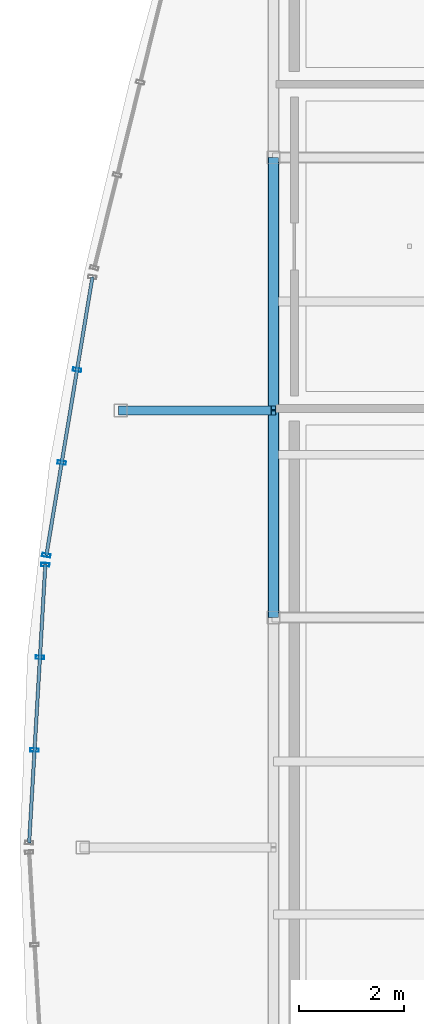
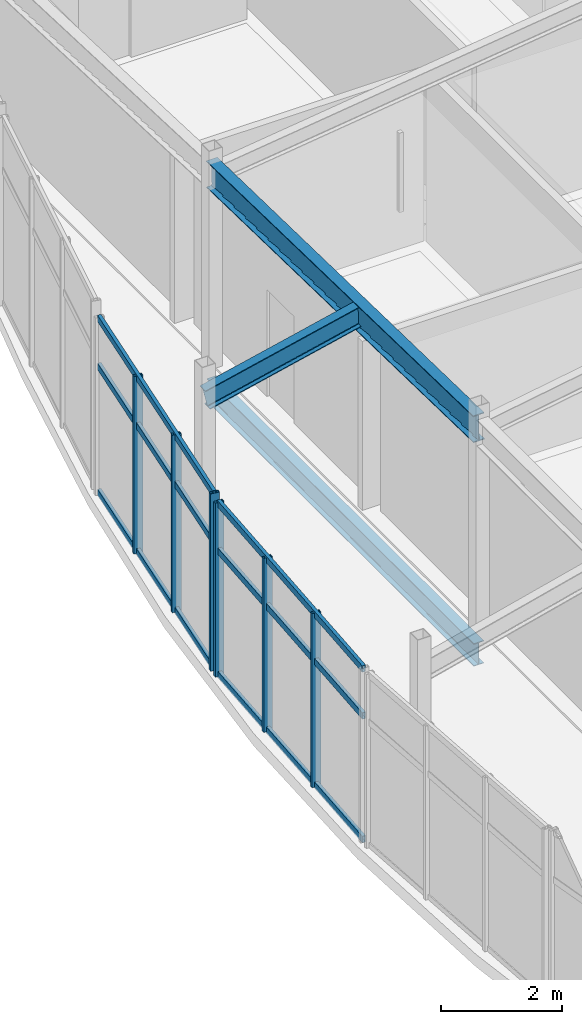
# One storey, part 21 of 114: 13 members, 2 beams, 2 elements without a shape of their own.
"""IFC4 building model written with IfcOpenShell, lengths in metres."""

import ifcopenshell
import ifcopenshell.guid

model = None  # the IFC model being written
_history = None  # IfcOwnerHistory: only IFC2X3 demands one
_inside = {}  # id of a spatial element -> (the spatial element, [elements in it])
_under = {}  # id of a project, library or spatial element -> (it, [spatial elements below it])
_declared = {}  # id of a project -> (the project, [libraries it declares])
_typed = {}  # id of a type object -> (the type object, [elements of that type])
_made_of = {}  # id of a material, layer set ... -> (it, [elements and type objects made of it])


def new_model(schema):
    """Start an empty IFC model of exactly this schema.

    Asked for "IFC4X3", IfcOpenShell would pick the latest addendum, in which some entities
    have other attributes; the version numbers below select the first issue.
    IFC2X3 requires an IfcOwnerHistory on every rooted entity: one is made here for all.
    """
    global model, _history
    if schema == "IFC4X3":
        model = ifcopenshell.file(schema_version=(4, 3, 0, 0))
    else:
        model = ifcopenshell.file(schema=schema)
    _inside.clear()
    _under.clear()
    _declared.clear()
    _typed.clear()
    _made_of.clear()
    _history = None
    if model.schema == "IFC2X3":
        org = make("IfcOrganization", Name="unknown")
        user = make(
            "IfcPersonAndOrganization",
            ThePerson=make("IfcPerson", FamilyName="unknown"),
            TheOrganization=org,
        )
        app = make(
            "IfcApplication",
            ApplicationDeveloper=org,
            Version="unknown",
            ApplicationFullName="unknown",
            ApplicationIdentifier="unknown",
        )
        _history = make(
            "IfcOwnerHistory",
            OwningUser=user,
            OwningApplication=app,
            ChangeAction="ADDED",
            CreationDate=0,
        )
    return model


def make(cls, **values):
    """One entity of the class cls with the attributes given. An attribute that is None is left unset."""
    return model.create_entity(
        cls, **{name: value for name, value in values.items() if value is not None}
    )


def rooted(cls, **values):
    """An entity with a GlobalId (a new one), such as an element, a storey or a relation."""
    return make(cls, GlobalId=ifcopenshell.guid.new(), OwnerHistory=_history, **values)


def si_unit(unit_type, name, prefix=None):
    """IfcSIUnit, for example si_unit("LENGTHUNIT", "METRE", prefix="MILLI")."""
    return make("IfcSIUnit", UnitType=unit_type, Prefix=prefix, Name=name)


def assignment(units):
    """IfcUnitAssignment: the units of a project."""
    return None if units is None else make("IfcUnitAssignment", Units=units)


def point(xyz):
    """IfcCartesianPoint."""
    return None if xyz is None else make("IfcCartesianPoint", Coordinates=xyz)


def direction(xyz):
    """IfcDirection."""
    return None if xyz is None else make("IfcDirection", DirectionRatios=xyz)


def frame(location, z_axis=None, x_axis=None):
    """IfcAxis2Placement3D, a coordinate frame: its origin and axes. An axis left out is left unset."""
    return make(
        "IfcAxis2Placement3D",
        Location=point(location),
        Axis=direction(z_axis),
        RefDirection=direction(x_axis),
    )


def frame_2d(location, x_axis=None):
    """IfcAxis2Placement2D, a coordinate frame in the plane: its origin and x axis."""
    return make(
        "IfcAxis2Placement2D", Location=point(location), RefDirection=direction(x_axis)
    )


def origin():
    """The frame at (0, 0, 0) with its axes left unset."""
    return frame((0.0, 0.0, 0.0))


def origin_2d():
    """The frame at (0, 0) in the plane with its x axis left unset."""
    return frame_2d((0.0, 0.0))


def place(relative_to, where):
    """IfcLocalPlacement: puts the frame where relative to a parent placement (None: the world)."""
    return make(
        "IfcLocalPlacement", PlacementRelTo=relative_to, RelativePlacement=where
    )


def context(
    kind, dimensions, precision=None, world=None, true_north=None, identifier=None
):
    """IfcGeometricRepresentationContext, for example the 3D "Model" context."""
    return make(
        "IfcGeometricRepresentationContext",
        ContextIdentifier=identifier,
        ContextType=kind,
        CoordinateSpaceDimension=dimensions,
        Precision=precision,
        WorldCoordinateSystem=world,
        TrueNorth=true_north,
    )


def subcontext(parent, identifier, kind, view, scale=None):
    """IfcGeometricRepresentationSubContext, for example "Body" below "Model"."""
    return make(
        "IfcGeometricRepresentationSubContext",
        ContextIdentifier=identifier,
        ContextType=kind,
        ParentContext=parent,
        TargetScale=scale,
        TargetView=view,
    )


def project(units=None, contexts=None):
    """IfcProject with its units and contexts."""
    return rooted(
        "IfcProject",
        Name="project",
        RepresentationContexts=contexts,
        UnitsInContext=assignment(units),
    )


def spatial(cls, under=None, at=None, **own):
    """A site, building, storey or space (cls), placed at a placement, below another one or the project."""
    s = rooted(cls, ObjectPlacement=at, **own)
    if under is not None:
        _under.setdefault(under.id(), (under, []))[1].append(s)
    return s


def profile(cls, at=None, kind="AREA", **sizes):
    """A parametric profile (cls). Its sizes go by their IFC names, for example OverallWidth=200.0."""
    return make(cls, ProfileType=kind, Position=at, **sizes)


def hollow_rectangle(**sizes):
    """IfcRectangleHollowProfileDef."""
    return profile("IfcRectangleHollowProfileDef", **sizes)


def i_section(**sizes):
    """IfcIShapeProfileDef."""
    return profile("IfcIShapeProfileDef", **sizes)


def extrude(swept, where, along, depth):
    """IfcExtrudedAreaSolid: the profile swept, set in the frame where, extruded along a direction by depth."""
    return make(
        "IfcExtrudedAreaSolid",
        SweptArea=swept,
        Position=where,
        ExtrudedDirection=direction(along),
        Depth=depth,
    )


def shape(context_of_items, identifier, shape_type, items):
    """IfcShapeRepresentation: the items that make up one representation, for example the "Body"."""
    return make(
        "IfcShapeRepresentation",
        ContextOfItems=context_of_items,
        RepresentationIdentifier=identifier,
        RepresentationType=shape_type,
        Items=items,
    )


def material(Name=None, Category=None):
    """IfcMaterial."""
    return make("IfcMaterial", Name=Name, Category=Category)


def layer(
    of_material, thickness, ventilated=None, Name=None, Category=None, Priority=None
):
    """IfcMaterialLayer: one layer of a wall or slab, of a material (None: an air gap)."""
    return make(
        "IfcMaterialLayer",
        Material=of_material,
        LayerThickness=thickness,
        IsVentilated=ventilated,
        Name=Name,
        Category=Category,
        Priority=Priority,
    )


def layer_set(layers, Name=None):
    """IfcMaterialLayerSet."""
    return make("IfcMaterialLayerSet", MaterialLayers=layers, LayerSetName=Name)


def material_profile(
    of_material, cross_section, Name=None, Category=None, Priority=None
):
    """IfcMaterialProfile: a cross section and its material."""
    return make(
        "IfcMaterialProfile",
        Name=Name,
        Material=of_material,
        Profile=cross_section,
        Priority=Priority,
        Category=Category,
    )


def profile_set(profiles, Name=None, composite=None):
    """IfcMaterialProfileSet."""
    return make(
        "IfcMaterialProfileSet",
        Name=Name,
        MaterialProfiles=profiles,
        CompositeProfile=composite,
    )


def made_of(thing, what):
    """Note that an element or type object is made of a material, layer set ...; save() writes the relation."""
    if what is not None:
        _made_of.setdefault(what.id(), (what, []))[1].append(thing)
    return thing


def type_object(cls, material=None, **own):
    """A type object (cls), such as IfcWallType, which elements share."""
    return made_of(rooted(cls, **own), material)


def element(
    cls,
    number,
    at=None,
    inside=None,
    cuts=None,
    type_object=None,
    material=None,
    context=None,
    identifier="Body",
    shape_type=None,
    held_by="IfcProductDefinitionShape",
    body=None,
    shapes=None,
    **own,
):
    """One element of the class cls, such as IfcWall. Its Tag is "e" and its number.

    at: its placement. inside: the storey or other place that contains it. cuts: it is an
    opening in that element (IfcRelVoidsElement). A single representation is given by context,
    identifier, shape_type and body (its items); several are given by shapes. held_by: the class
    of the entity that holds the representations. save() writes the other relations.
    """
    e = rooted(cls, Tag="e%d" % number, ObjectPlacement=at, **own)
    if body is not None:
        shapes = [shape(context, identifier, shape_type, body)]
    if shapes is not None:
        e.Representation = make(held_by, Representations=shapes)
    if inside is not None:
        _inside.setdefault(inside.id(), (inside, []))[1].append(e)
    if cuts is not None:
        rooted(
            "IfcRelVoidsElement", RelatingBuildingElement=cuts, RelatedOpeningElement=e
        )
    if type_object is not None:
        _typed.setdefault(type_object.id(), (type_object, []))[1].append(e)
    return made_of(e, material)


def aggregate(whole, parts):
    """IfcRelAggregates: a whole, such as a stair, and the parts it consists of."""
    return rooted("IfcRelAggregates", RelatingObject=whole, RelatedObjects=parts)


def save(model, path):
    """Write the relations noted so far, then the file.

    IfcRelAggregates (storeys below a building ...), IfcRelContainedInSpatialStructure (elements
    in a storey), IfcRelDefinesByType, IfcRelAssociatesMaterial and IfcRelDeclares: one each for
    every whole, place, type object, material and project.
    """
    for whole, parts in _under.values():
        aggregate(whole, parts)
    for where, things in _inside.values():
        rooted(
            "IfcRelContainedInSpatialStructure",
            RelatedElements=things,
            RelatingStructure=where,
        )
    for kind, things in _typed.values():
        rooted("IfcRelDefinesByType", RelatedObjects=things, RelatingType=kind)
    for what, things in _made_of.values():
        rooted("IfcRelAssociatesMaterial", RelatedObjects=things, RelatingMaterial=what)
    for by, libraries in _declared.values():
        rooted("IfcRelDeclares", RelatingContext=by, RelatedDefinitions=libraries)
    model.write(path)


model = new_model("IFC4")

# Units and contexts
model_context = context("Model", 3, precision=1e-05, world=origin(), true_north=direction((0.0, 1.0)))
body_context = subcontext(model_context, "Body", "Model", "MODEL_VIEW")
ifc_project = project(units=[si_unit("LENGTHUNIT", "METRE"), si_unit("AREAUNIT", "SQUARE_METRE"), si_unit("VOLUMEUNIT", "CUBIC_METRE"), si_unit("PLANEANGLEUNIT", "RADIAN"), si_unit("MASSUNIT", "GRAM", prefix="KILO")], contexts=[model_context])

# Site, building, storey
site_placement = place(None, origin())
site = spatial("IfcSite", under=ifc_project, at=site_placement, CompositionType="ELEMENT")
building_placement = place(site_placement, origin())
building = spatial("IfcBuilding", under=site, at=building_placement, Name="Chalmorin Arch Market", CompositionType="ELEMENT")
storey_placement = place(building_placement, frame((0.0, 0.0, 9.60009765625)))
storey = spatial("IfcBuildingStorey", under=building, at=storey_placement, Name="L02", CompositionType="ELEMENT", Elevation=9.60009765625)

# Curtain wall, members
ifc_material_1 = material(Name="Aluminium 6063-T6", Category="aluminium")
ifc_layer_1 = layer(ifc_material_1, 0.159912109375)
ifc_layer_set_1 = layer_set([ifc_layer_1], Name="Aluminium 6063-T6")
curtain_wall_type_1 = type_object("IfcCurtainWallType", Name="RiverfrontStorefrontCurtainWall-CW2-5330x3500", PredefinedType="NOTDEFINED", material=ifc_layer_set_1)
curtain_wall_1_placement = place(storey_placement, origin())
curtain_wall_1 = element("IfcCurtainWall", 1, at=curtain_wall_1_placement, inside=storey, type_object=curtain_wall_type_1, Name="CW-02-059", PredefinedType="NOTDEFINED")
ifc_material_profile_1 = material_profile(ifc_material_1, hollow_rectangle(XDim=0.06494140625, YDim=0.159912109375, WallThickness=0.00390625, at=origin_2d()), Name="ALU65X160X4")
ifc_profile_set_1 = profile_set([ifc_material_profile_1], Name="Aluminium 6063-T6")
member_type_1 = type_object("IfcMemberType", Name="CurtainWallMullion-65x160", PredefinedType="MULLION", material=ifc_profile_set_1)
member_1_placement = place(storey_placement, frame((-4.571533203125, 29.86328125, 0.0), z_axis=(0.0, 0.0, 1.0), x_axis=(0.052335956243, 0.998629534755, 0.0)))
member_1 = element("IfcMember", 2, at=member_1_placement, type_object=member_type_1, Name="ML-059-02", PredefinedType="MULLION", context=body_context, shape_type="SweptSolid", body=[
    extrude(hollow_rectangle(XDim=0.06494140625, YDim=0.159912109375, WallThickness=0.00390625, at=origin_2d()), origin(), (0.0, 0.0, 1.0), 3.5),
])
member_2_placement = place(storey_placement, frame((-4.468505859375, 31.63671875, 0.0), z_axis=(0.0, 0.0, 1.0), x_axis=(0.052335956243, 0.998629534755, 0.0)))
member_2 = element("IfcMember", 3, at=member_2_placement, type_object=member_type_1, Name="ML-059-03", PredefinedType="MULLION", context=body_context, shape_type="SweptSolid", body=[
    extrude(hollow_rectangle(XDim=0.06494140625, YDim=0.159912109375, WallThickness=0.00390625, at=origin_2d()), origin(), (0.0, 0.0, 1.0), 3.5),
])
member_3_placement = place(storey_placement, frame((-4.365234375, 33.41015625, 0.0), z_axis=(0.0, 0.0, 1.0), x_axis=(0.052335956243, 0.998629534755, 0.0)))
member_3 = element("IfcMember", 4, at=member_3_placement, type_object=member_type_1, Name="ML-059-04", PredefinedType="MULLION", context=body_context, shape_type="SweptSolid", body=[
    extrude(hollow_rectangle(XDim=0.06494140625, YDim=0.159912109375, WallThickness=0.00390625, at=origin_2d()), origin(), (0.0, 0.0, 1.0), 3.5),
])

ifc_layer_2 = layer(ifc_material_1, 0.159912109375)
ifc_layer_set_2 = layer_set([ifc_layer_2], Name="Aluminium 6063-T6")
curtain_wall_type_2 = type_object("IfcCurtainWallType", Name="RiverfrontStorefrontCurtainWall-CW2-5390x3570", PredefinedType="NOTDEFINED", material=ifc_layer_set_2)
curtain_wall_2_placement = place(storey_placement, origin())
curtain_wall_2 = element("IfcCurtainWall", 5, at=curtain_wall_2_placement, inside=storey, type_object=curtain_wall_type_2, Name="CW-02-062", PredefinedType="NOTDEFINED")
member_4_placement = place(storey_placement, frame((-4.34521484375, 33.5888671875, 0.0), z_axis=(0.0, 0.0, 1.0), x_axis=(0.15643446504, 0.987688340595, 0.0)))
member_4 = element("IfcMember", 6, at=member_4_placement, type_object=member_type_1, Name="ML-062-01", PredefinedType="MULLION", context=body_context, shape_type="SweptSolid", body=[
    extrude(hollow_rectangle(XDim=0.06494140625, YDim=0.159912109375, WallThickness=0.00390625, at=origin_2d()), origin(), (0.0, 0.0, 1.0), 3.56982421875),
])
member_5_placement = place(storey_placement, frame((-4.0517578125, 35.36279296875, 0.0), z_axis=(0.0, 0.0, 1.0), x_axis=(0.15643446504, 0.987688340595, 0.0)))
member_5 = element("IfcMember", 7, at=member_5_placement, type_object=member_type_1, Name="ML-062-02", PredefinedType="MULLION", context=body_context, shape_type="SweptSolid", body=[
    extrude(hollow_rectangle(XDim=0.06494140625, YDim=0.159912109375, WallThickness=0.00390625, at=origin_2d()), origin(), (0.0, 0.0, 1.0), 3.56982421875),
])
member_6_placement = place(storey_placement, frame((-3.75830078125, 37.13720703125, 0.0), z_axis=(0.0, 0.0, 1.0), x_axis=(0.15643446504, 0.987688340595, 0.0)))
member_6 = element("IfcMember", 8, at=member_6_placement, type_object=member_type_1, Name="ML-062-03", PredefinedType="MULLION", context=body_context, shape_type="SweptSolid", body=[
    extrude(hollow_rectangle(XDim=0.06494140625, YDim=0.159912109375, WallThickness=0.00390625, at=origin_2d()), origin(), (0.0, 0.0, 1.0), 3.56982421875),
])

# Member
ifc_material_profile_2 = material_profile(ifc_material_1, hollow_rectangle(XDim=0.06494140625, YDim=0.1298828125, WallThickness=0.00390625, at=origin_2d()), Name="ALU65X130X4")
ifc_profile_set_2 = profile_set([ifc_material_profile_2], Name="Aluminium 6063-T6")
member_type_2 = type_object("IfcMemberType", Name="CurtainWallTransom-65x130", PredefinedType="USERDEFINED", material=ifc_profile_set_2)
member_7_placement = place(storey_placement, frame((-4.6748046875, 28.08984375, 0.034912109375), z_axis=(0.058088239808, 0.998311452602, 0.0), x_axis=(-0.998311452602, 0.058088239808, 0.0)))
member_7 = element("IfcMember", 9, at=member_7_placement, type_object=member_type_2, Name="TR-059-01", ObjectType="TRANSOM", PredefinedType="USERDEFINED", context=body_context, shape_type="SweptSolid", body=[
    extrude(hollow_rectangle(XDim=0.06494140625, YDim=0.1298828125, WallThickness=0.00390625, at=origin_2d()), origin(), (0.0, 0.0, 1.0), 5.329345703125),
])

member_8_placement = place(storey_placement, frame((-4.6748046875, 28.08984375, 2.52001953125), z_axis=(0.058088239808, 0.998311452602, 0.0), x_axis=(-0.998311452602, 0.058088239808, 0.0)))
member_8 = element("IfcMember", 10, at=member_8_placement, type_object=member_type_2, Name="TR-059-02", ObjectType="TRANSOM", PredefinedType="USERDEFINED", context=body_context, shape_type="SweptSolid", body=[
    extrude(hollow_rectangle(XDim=0.06494140625, YDim=0.1298828125, WallThickness=0.00390625, at=origin_2d()), origin(), (0.0, 0.0, 1.0), 5.329345703125),
])

member_9_placement = place(storey_placement, frame((-4.6748046875, 28.08984375, 3.46484375), z_axis=(0.058088239808, 0.998311452602, 0.0), x_axis=(-0.998311452602, 0.058088239808, 0.0)))
member_9 = element("IfcMember", 11, at=member_9_placement, type_object=member_type_2, Name="TR-059-03", ObjectType="TRANSOM", PredefinedType="USERDEFINED", context=body_context, shape_type="SweptSolid", body=[
    extrude(hollow_rectangle(XDim=0.06494140625, YDim=0.1298828125, WallThickness=0.00390625, at=origin_2d()), origin(), (0.0, 0.0, 1.0), 5.329345703125),
])

aggregate(curtain_wall_1, [member_1, member_2, member_3, member_7, member_8, member_9])

member_10_placement = place(storey_placement, frame((-4.34521484375, 33.5888671875, 0.034912109375), z_axis=(0.16323933491, 0.986586498761, 0.0), x_axis=(-0.986586498761, 0.16323933491, 0.0)))
member_10 = element("IfcMember", 12, at=member_10_placement, type_object=member_type_2, Name="TR-062-01", ObjectType="TRANSOM", PredefinedType="USERDEFINED", context=body_context, shape_type="SweptSolid", body=[
    extrude(hollow_rectangle(XDim=0.06494140625, YDim=0.1298828125, WallThickness=0.00390625, at=origin_2d()), origin(), (0.0, 0.0, 1.0), 5.39453125),
])

member_11_placement = place(storey_placement, frame((-4.34521484375, 33.5888671875, 2.5703125), z_axis=(0.16323933491, 0.986586498761, 0.0), x_axis=(-0.986586498761, 0.16323933491, 0.0)))
member_11 = element("IfcMember", 13, at=member_11_placement, type_object=member_type_2, Name="TR-062-02", ObjectType="TRANSOM", PredefinedType="USERDEFINED", context=body_context, shape_type="SweptSolid", body=[
    extrude(hollow_rectangle(XDim=0.06494140625, YDim=0.1298828125, WallThickness=0.00390625, at=origin_2d()), origin(), (0.0, 0.0, 1.0), 5.39453125),
])

member_12_placement = place(storey_placement, frame((-4.34521484375, 33.5888671875, 3.534912109375), z_axis=(0.16323933491, 0.986586498761, 0.0), x_axis=(-0.986586498761, 0.16323933491, 0.0)))
member_12 = element("IfcMember", 14, at=member_12_placement, type_object=member_type_2, Name="TR-062-03", ObjectType="TRANSOM", PredefinedType="USERDEFINED", context=body_context, shape_type="SweptSolid", body=[
    extrude(hollow_rectangle(XDim=0.06494140625, YDim=0.1298828125, WallThickness=0.00390625, at=origin_2d()), origin(), (0.0, 0.0, 1.0), 5.39453125),
])

aggregate(curtain_wall_2, [member_4, member_5, member_6, member_10, member_11, member_12])

# Beams
ifc_material_2 = material(Name="Steel A992 Grade 50", Category="steel")
ifc_material_profile_3 = material_profile(ifc_material_2, i_section(OverallWidth=0.19091796875, OverallDepth=0.45703125, WebThickness=0.009033203125, FlangeThickness=0.014404296875, FilletRadius=0.02001953125, at=origin_2d()), Name="W18X50")
ifc_profile_set_3 = profile_set([ifc_material_profile_3], Name="Steel A992 Grade 50")
beam_type_1 = type_object("IfcBeamType", Name="PerimeterSpandrelBeam-W18X50", PredefinedType="SPANDREL", material=ifc_profile_set_3)
beam_1_placement = place(storey_placement, frame((0.0, 32.39990234375, -0.480712890625), z_axis=(0.0, 1.0, 0.0), x_axis=(-1.0, 0.0, 0.0)))
element("IfcBeam", 15, at=beam_1_placement, inside=storey, type_object=beam_type_1, Name="SP-W18-1145", PredefinedType="SPANDREL", context=body_context, shape_type="SweptSolid", body=[
    extrude(i_section(OverallWidth=0.19091796875, OverallDepth=0.45703125, WebThickness=0.009033203125, FlangeThickness=0.014404296875, FilletRadius=0.02001953125, at=origin_2d()), origin(), (0.0, 0.0, 1.0), 8.800048828125),
])
ifc_material_profile_4 = material_profile(ifc_material_2, i_section(OverallWidth=0.208984375, OverallDepth=0.532958984375, WebThickness=0.01025390625, FlangeThickness=0.015625, FilletRadius=0.02197265625, at=origin_2d()), Name="W21X62")
ifc_profile_set_4 = profile_set([ifc_material_profile_4], Name="Steel A992 Grade 50")
beam_type_2 = type_object("IfcBeamType", Name="PrimarySteelGirder-W21X62", PredefinedType="BEAM", material=ifc_profile_set_4)
beam_2_placement = place(storey_placement, frame((0.0, 32.39990234375, 4.06396484375), z_axis=(0.0, 0.999738805403, -0.022854342507), x_axis=(-1.0, 0.0, 0.0)))
element("IfcBeam", 16, at=beam_2_placement, inside=storey, type_object=beam_type_2, Name="BG-W21B-1526", PredefinedType="BEAM", context=body_context, shape_type="SweptSolid", body=[
    extrude(i_section(OverallWidth=0.208984375, OverallDepth=0.532958984375, WebThickness=0.01025390625, FlangeThickness=0.015625, FilletRadius=0.02197265625, at=origin_2d()), origin(), (0.0, 0.0, 1.0), 8.80224609375),
])

# Member
ifc_material_profile_5 = material_profile(ifc_material_2, i_section(OverallWidth=0.178955078125, OverallDepth=0.409912109375, WebThickness=0.0087890625, FlangeThickness=0.014404296875, FilletRadius=0.01806640625, at=origin_2d()), Name="W16X45")
ifc_profile_set_5 = profile_set([ifc_material_profile_5], Name="Steel A992 Grade 50")
member_type_3 = type_object("IfcMemberType", Name="RoofSteelPurlin-W16X45", PredefinedType="PURLIN", material=ifc_profile_set_5)
member_13_placement = place(storey_placement, frame((-2.924072265625, 36.360107421875, 3.291015625), z_axis=(0.975116058, 0.0, 0.221695000913), x_axis=(0.0, 1.0, 0.0)))
element("IfcMember", 17, at=member_13_placement, inside=storey, type_object=member_type_3, Name="PR-W16-0040", PredefinedType="PURLIN", context=body_context, shape_type="SweptSolid", body=[
    extrude(i_section(OverallWidth=0.178955078125, OverallDepth=0.409912109375, WebThickness=0.0087890625, FlangeThickness=0.014404296875, FilletRadius=0.01806640625, at=origin_2d()), origin(), (0.0, 0.0, 1.0), 2.998779296875),
])

save(model, "model.ifc")
